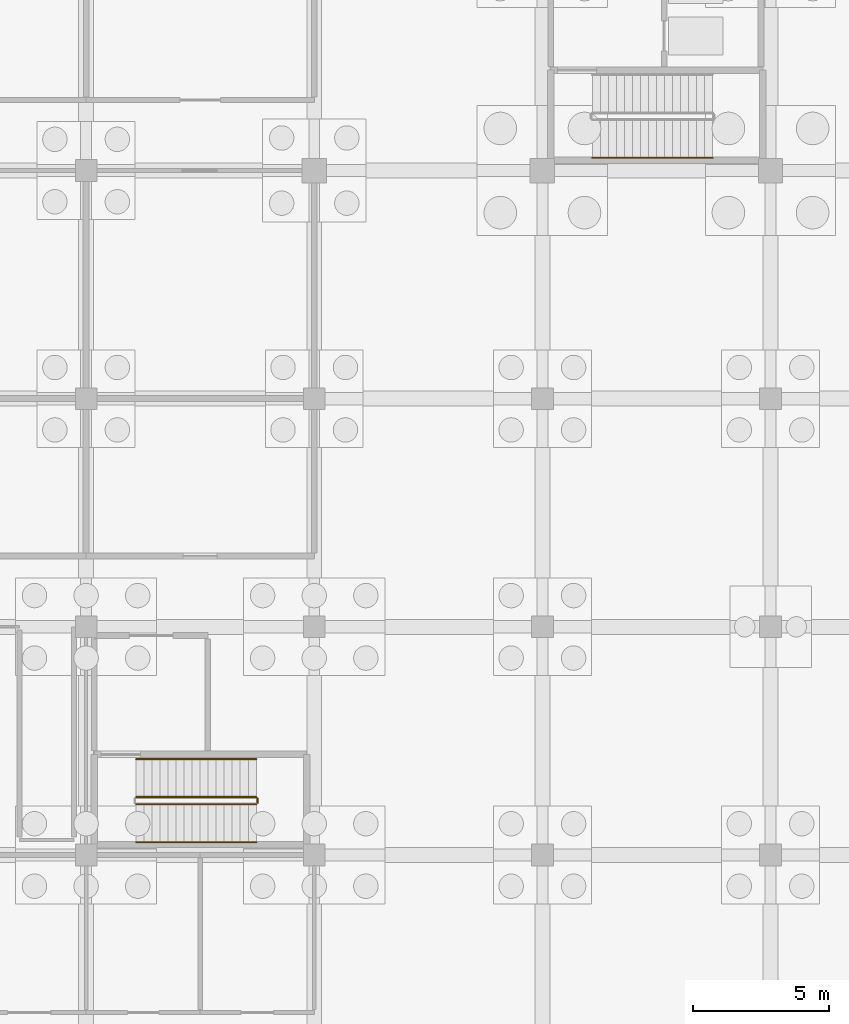
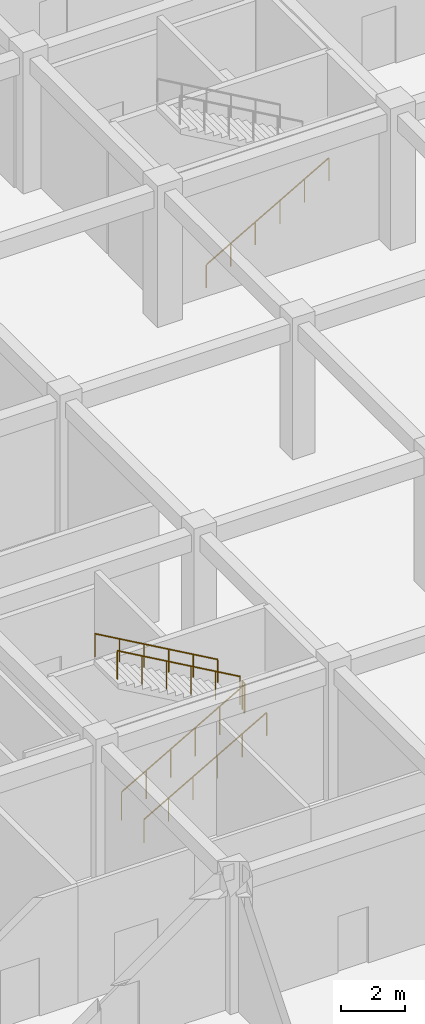
# One storey, part 58 of 65: 6 railings.
"""IFC4 building model written with IfcOpenShell, lengths in metres."""

from ifc_helpers import new_model, si_unit, direction, frame, origin, origin_2d, place, context, subcontext, project, spatial, circle, extrude, material, type_object, element, save


model = new_model("IFC4")

# Units and contexts
model_context = context("Model", 3, precision=1e-05, world=origin(), true_north=direction((0.0, 1.0)))
body_context = subcontext(model_context, "Body", "Model", "MODEL_VIEW")
ifc_project = project(units=[si_unit("LENGTHUNIT", "METRE"), si_unit("AREAUNIT", "SQUARE_METRE"), si_unit("VOLUMEUNIT", "CUBIC_METRE"), si_unit("PLANEANGLEUNIT", "RADIAN"), si_unit("MASSUNIT", "GRAM", prefix="KILO")], contexts=[model_context])

# Site, building, storey
site_placement = place(None, origin())
site = spatial("IfcSite", under=ifc_project, at=site_placement, CompositionType="ELEMENT")
building_placement = place(site_placement, origin())
building = spatial("IfcBuilding", under=site, at=building_placement, Name="Bramfleet General Hospital", CompositionType="ELEMENT")
storey_placement = place(building_placement, frame((0.0, 0.0, -5.39990234375)))
storey = spatial("IfcBuildingStorey", under=building, at=storey_placement, Name="B1", CompositionType="ELEMENT", Elevation=-5.39990234375)

# Railings
ifc_material_1 = material(Name="Powder-coated steel stair balustrade", Category="steel")
railing_type_1 = type_object("IfcRailingType", Name="RAIL-ST-GUARD", PredefinedType="GUARDRAIL", material=ifc_material_1)
railing_1_placement = place(storey_placement, frame((60.639892578125, 69.070068359375, 0.168701171875)))
element("IfcRailing", 1, at=railing_1_placement, inside=storey, type_object=railing_type_1, Name="B1 ST-C13 stair guard 1", PredefinedType="GUARDRAIL", context=body_context, shape_type="SweptSolid", body=[
    extrude(circle(Radius=0.02392578125, at=origin_2d()), frame((0.0, 0.0, 1.076171875), z_axis=(0.868019072493, 0.0, 0.49653085482), x_axis=(0.0, 1.0, 0.0)), (0.0, 0.0, 1.0), 5.097900390625),
    extrude(circle(Radius=0.02099609375, at=origin_2d()), origin(), (0.0, 0.0, 1.0), 1.052001953125),
    extrude(circle(Radius=0.02099609375, at=origin_2d()), frame((0.885009765625, 0.0, 0.50634765625)), (0.0, 0.0, 1.0), 1.052001953125),
    extrude(circle(Radius=0.02099609375, at=origin_2d()), frame((1.77001953125, 0.0, 1.012451171875)), (0.0, 0.0, 1.0), 1.052001953125),
    extrude(circle(Radius=0.02099609375, at=origin_2d()), frame((2.655029296875, 0.0, 1.518798828125)), (0.0, 0.0, 1.0), 1.052001953125),
    extrude(circle(Radius=0.02099609375, at=origin_2d()), frame((3.5400390625, 0.0, 2.02490234375)), (0.0, 0.0, 1.0), 1.052001953125),
    extrude(circle(Radius=0.02099609375, at=origin_2d()), frame((4.425048828125, 0.0, 2.53125)), (0.0, 0.0, 1.0), 1.052001953125),
])
railing_2_placement = place(storey_placement, frame((65.114990234375, 69.1201171875, 2.699951171875)))
element("IfcRailing", 2, at=railing_2_placement, inside=storey, type_object=railing_type_1, Name="B1 ST-C13 stair guard 2", PredefinedType="GUARDRAIL", context=body_context, shape_type="SweptSolid", body=[
    extrude(circle(Radius=0.02392578125, at=origin_2d()), frame((0.0, 0.0, 1.076171875), z_axis=(0.0, 1.0, 0.0), x_axis=(-1.0, 0.0, 0.0)), (0.0, 0.0, 1.0), 0.159912109375),
    extrude(circle(Radius=0.02099609375, at=origin_2d()), origin(), (0.0, 0.0, 1.0), 1.052001953125),
    extrude(circle(Radius=0.02099609375, at=origin_2d()), frame((0.0, 0.159912109375, 0.0)), (0.0, 0.0, 1.0), 1.052001953125),
])
railing_3_placement = place(storey_placement, frame((65.06494140625, 69.330078125, 2.86865234375)))
element("IfcRailing", 3, at=railing_3_placement, inside=storey, type_object=railing_type_1, Name="B1 ST-C13 stair guard 3", PredefinedType="GUARDRAIL", context=body_context, shape_type="SweptSolid", body=[
    extrude(circle(Radius=0.02392578125, at=origin_2d()), frame((0.0, 0.0, 1.076171875), z_axis=(-0.868019072493, 0.0, 0.49653085482), x_axis=(0.0, -1.0, 0.0)), (0.0, 0.0, 1.0), 5.097900390625),
    extrude(circle(Radius=0.02099609375, at=origin_2d()), origin(), (0.0, 0.0, 1.0), 1.052001953125),
    extrude(circle(Radius=0.02099609375, at=origin_2d()), frame((-0.885009765625, 0.0, 0.50634765625)), (0.0, 0.0, 1.0), 1.052001953125),
    extrude(circle(Radius=0.02099609375, at=origin_2d()), frame((-1.77001953125, 0.0, 1.012451171875)), (0.0, 0.0, 1.0), 1.052001953125),
    extrude(circle(Radius=0.02099609375, at=origin_2d()), frame((-2.655029296875, 0.0, 1.518798828125)), (0.0, 0.0, 1.0), 1.052001953125),
    extrude(circle(Radius=0.02099609375, at=origin_2d()), frame((-3.5400390625, 0.0, 2.02490234375)), (0.0, 0.0, 1.0), 1.052001953125),
    extrude(circle(Radius=0.02099609375, at=origin_2d()), frame((-4.425048828125, 0.0, 2.53125)), (0.0, 0.0, 1.0), 1.052001953125),
])
ifc_material_2 = material(Name="Stainless steel 1.4301 stair handrail", Category="steel")
railing_type_2 = type_object("IfcRailingType", Name="RAIL-ST-HND", PredefinedType="HANDRAIL", material=ifc_material_2)
for number, where, name in (
    (4, (77.43994140625, 92.8701171875, 0.168701171875), "B1 ST-C5 stair handrail 1"),
    (5, (60.639892578125, 67.669921875, 0.168701171875), "B1 ST-C13 stair handrail 1"),
):
    element("IfcRailing", number, at=place(storey_placement, frame(where)), inside=storey, type_object=railing_type_2, Name=name, PredefinedType="HANDRAIL", context=body_context, shape_type="SweptSolid", body=[
        extrude(circle(Radius=0.02392578125, at=origin_2d()), frame((0.0, 0.0, 0.8759765625), z_axis=(0.868019072493, 0.0, 0.49653085482), x_axis=(0.0, 1.0, 0.0)), (0.0, 0.0, 1.0), 5.097900390625),
        extrude(circle(Radius=0.02099609375, at=origin_2d()), origin(), (0.0, 0.0, 1.0), 0.851806640625),
        extrude(circle(Radius=0.02099609375, at=origin_2d()), frame((0.885009765625, 0.0, 0.50634765625)), (0.0, 0.0, 1.0), 0.851806640625),
        extrude(circle(Radius=0.02099609375, at=origin_2d()), frame((1.77001953125, 0.0, 1.012451171875)), (0.0, 0.0, 1.0), 0.851806640625),
        extrude(circle(Radius=0.02099609375, at=origin_2d()), frame((2.655029296875, 0.0, 1.518798828125)), (0.0, 0.0, 1.0), 0.851806640625),
        extrude(circle(Radius=0.02099609375, at=origin_2d()), frame((3.5400390625, 0.0, 2.02490234375)), (0.0, 0.0, 1.0), 0.851806640625),
        extrude(circle(Radius=0.02099609375, at=origin_2d()), frame((4.425048828125, 0.0, 2.53125)), (0.0, 0.0, 1.0), 0.851806640625),
    ])
railing_4_placement = place(storey_placement, frame((65.06494140625, 70.72998046875, 2.86865234375)))
element("IfcRailing", 6, at=railing_4_placement, inside=storey, type_object=railing_type_2, Name="B1 ST-C13 stair handrail 2", PredefinedType="HANDRAIL", context=body_context, shape_type="SweptSolid", body=[
    extrude(circle(Radius=0.02392578125, at=origin_2d()), frame((0.0, 0.0, 0.8759765625), z_axis=(-0.868019072493, 0.0, 0.49653085482), x_axis=(0.0, -1.0, 0.0)), (0.0, 0.0, 1.0), 5.097900390625),
    extrude(circle(Radius=0.02099609375, at=origin_2d()), origin(), (0.0, 0.0, 1.0), 0.851806640625),
    extrude(circle(Radius=0.02099609375, at=origin_2d()), frame((-0.885009765625, 0.0, 0.50634765625)), (0.0, 0.0, 1.0), 0.851806640625),
    extrude(circle(Radius=0.02099609375, at=origin_2d()), frame((-1.77001953125, 0.0, 1.012451171875)), (0.0, 0.0, 1.0), 0.851806640625),
    extrude(circle(Radius=0.02099609375, at=origin_2d()), frame((-2.655029296875, 0.0, 1.518798828125)), (0.0, 0.0, 1.0), 0.851806640625),
    extrude(circle(Radius=0.02099609375, at=origin_2d()), frame((-3.5400390625, 0.0, 2.02490234375)), (0.0, 0.0, 1.0), 0.851806640625),
    extrude(circle(Radius=0.02099609375, at=origin_2d()), frame((-4.425048828125, 0.0, 2.53125)), (0.0, 0.0, 1.0), 0.851806640625),
])

save(model, "model.ifc")
